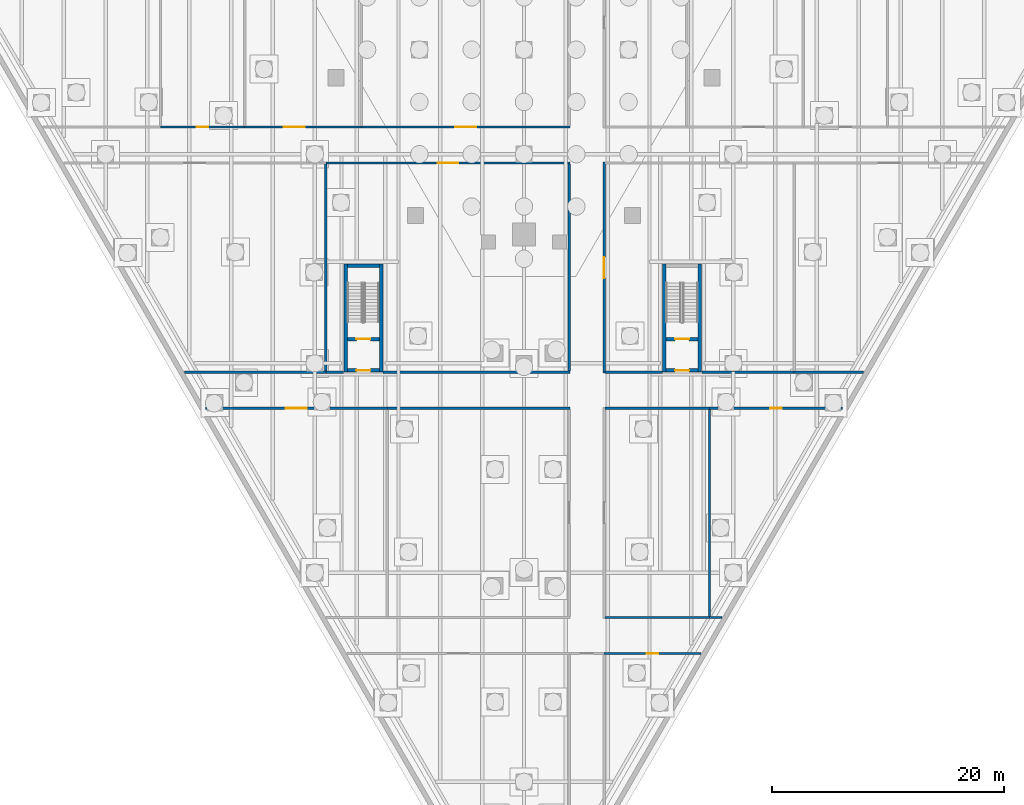
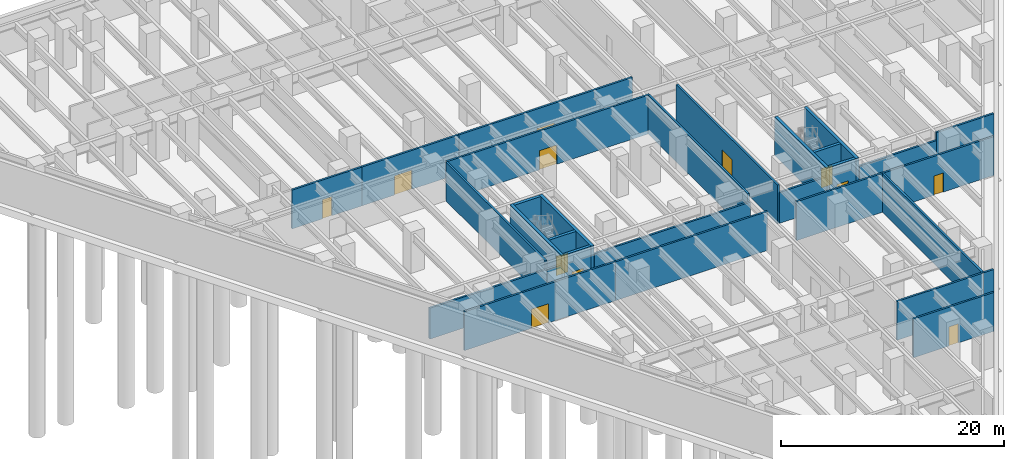
# One storey, part 9 of 18: 30 walls, 12 doors, 12 openings.
"""IFC4 building model written with IfcOpenShell, lengths in metres."""

from ifc_helpers import new_model, si_unit, direction, frame, frame_2d, origin, place, context, subcontext, project, spatial, rectangle, extrude, material, layer, layer_set, type_object, element, fill, save


model = new_model("IFC4")

# Units and contexts
model_context = context("Model", 3, precision=1e-05, world=origin(), true_north=direction((0.0, 1.0)))
body_context = subcontext(model_context, "Body", "Model", "MODEL_VIEW")
ifc_project = project(units=[si_unit("LENGTHUNIT", "METRE"), si_unit("AREAUNIT", "SQUARE_METRE"), si_unit("VOLUMEUNIT", "CUBIC_METRE"), si_unit("PLANEANGLEUNIT", "RADIAN"), si_unit("MASSUNIT", "GRAM", prefix="KILO")], contexts=[model_context])

# Site, building, storey
site_placement = place(None, origin())
site = spatial("IfcSite", under=ifc_project, at=site_placement, CompositionType="ELEMENT")
building_placement = place(site_placement, origin())
building = spatial("IfcBuilding", under=site, at=building_placement, Name="Aloe Facet Convention Tower", CompositionType="ELEMENT")
storey_placement = place(building_placement, frame((0.0, 0.0, -9.0)))
storey = spatial("IfcBuildingStorey", under=building, at=storey_placement, Name="B2", CompositionType="ELEMENT", Elevation=-9.0)

# Walls
ifc_material_1 = material(Name="Concrete C50/60", Category="concrete")
ifc_layer_1 = layer(ifc_material_1, 0.300048828125)
ifc_layer_set_1 = layer_set([ifc_layer_1], Name="CR-W-RC300-C5060")
wall_type_1 = type_object("IfcWallType", Name="CR-W-RC300-C5060", PredefinedType="SOLIDWALL", material=ifc_layer_set_1)
for number, where, z_axis, x_axis, name in (
    (1, (92.074951171875, 80.25, 0.0), (0.0, 0.0, 1.0), (0.0, 1.0, 0.0), "Exit stair wall B2-01"),
    (2, (95.125, 80.25, 0.0), (0.0, 0.0, 1.0), (0.0, 1.0, 0.0), "Exit stair wall B2-02"),
):
    element("IfcWall", number, at=place(storey_placement, frame(where, z_axis=z_axis, x_axis=x_axis)), inside=storey, type_object=wall_type_1, Name=name, PredefinedType="SOLIDWALL", context=body_context, shape_type="SweptSolid", body=[
        extrude(rectangle(XDim=9.300048828125, YDim=0.300048828125, at=frame_2d((4.64990234375, 0.0))), origin(), (0.0, 0.0, 1.0), 4.25),
    ])

# Wall, opening, door
wall_1_placement = place(storey_placement, frame((92.22509765625, 80.39990234375, 0.0), z_axis=(0.0, 0.0, 1.0), x_axis=(1.0, 0.0, 0.0)))
wall_1 = element("IfcWall", 3, at=wall_1_placement, inside=storey, type_object=wall_type_1, Name="Exit stair wall B2-03", PredefinedType="SOLIDWALL", context=body_context, shape_type="SweptSolid", body=[
    extrude(rectangle(XDim=2.75, YDim=0.300048828125, at=frame_2d((1.375, 0.0))), origin(), (0.0, 0.0, 1.0), 4.25),
])
opening_1_placement = place(wall_1_placement, frame((0.77490234375, 0.0, 0.0)))
opening_1 = element("IfcOpeningElement", 4, at=opening_1_placement, cuts=wall_1, Name="Opening B2-ST6-02", PredefinedType="OPENING", context=body_context, shape_type="SweptSolid", body=[
    extrude(rectangle(XDim=1.199951171875, YDim=2.10009765625, at=frame_2d((0.60009765625, 1.050048828125))), frame((0.0, 0.16015625, 0.0), z_axis=(0.0, -1.0, 0.0), x_axis=(1.0, 0.0, 0.0)), (0.0, 0.0, 1.0), 0.320068359375),
])
ifc_material_2 = material(Name="Steel fire-resisting door set FD60", Category="steel")
door_type_1 = type_object("IfcDoorType", Name="CR-D-EXIT-1200-FD60-SRIGHT", OperationType="SINGLE_SWING_RIGHT", PredefinedType="DOOR", material=ifc_material_2)
door_1_placement = place(opening_1_placement, origin())
door_1 = element("IfcDoor", 5, at=door_1_placement, inside=storey, type_object=door_type_1, Name="Stair lobby door B2-ST6-02", OperationType="SINGLE_SWING_RIGHT", OverallHeight=2.10009765625, OverallWidth=1.199951171875, PredefinedType="DOOR", context=body_context, shape_type="SweptSolid", body=[
    extrude(rectangle(XDim=1.199951171875, YDim=2.10009765625, at=frame_2d((0.60009765625, 1.050048828125))), frame((0.0, 0.02490234375, 0.0), z_axis=(0.0, -1.0, 0.0), x_axis=(1.0, 0.0, 0.0)), (0.0, 0.0, 1.0), 0.050048828125),
])
fill(opening_1, door_1)

wall_2_placement = place(storey_placement, frame((92.22509765625, 83.10009765625, 0.0), z_axis=(0.0, 0.0, 1.0), x_axis=(1.0, 0.0, 0.0)))
wall_2 = element("IfcWall", 6, at=wall_2_placement, inside=storey, type_object=wall_type_1, Name="Exit stair wall B2-04", PredefinedType="SOLIDWALL", context=body_context, shape_type="SweptSolid", body=[
    extrude(rectangle(XDim=2.75, YDim=0.300048828125, at=frame_2d((1.375, 0.0))), origin(), (0.0, 0.0, 1.0), 4.25),
])
opening_2_placement = place(wall_2_placement, frame((0.77490234375, 0.0, 0.0)))
opening_2 = element("IfcOpeningElement", 7, at=opening_2_placement, cuts=wall_2, Name="Opening B2-ST6-01", PredefinedType="OPENING", context=body_context, shape_type="SweptSolid", body=[
    extrude(rectangle(XDim=1.199951171875, YDim=2.10009765625, at=frame_2d((0.60009765625, 1.050048828125))), frame((0.0, 0.16015625, 0.0), z_axis=(0.0, -1.0, 0.0), x_axis=(1.0, 0.0, 0.0)), (0.0, 0.0, 1.0), 0.320068359375),
])
ifc_material_3 = material(Name="Steel fire-resisting door set FD120", Category="steel")
door_type_2 = type_object("IfcDoorType", Name="CR-D-STAIR-1200-FD120-SLEFT", OperationType="SINGLE_SWING_LEFT", PredefinedType="DOOR", material=ifc_material_3)
door_2_placement = place(opening_2_placement, origin())
door_2 = element("IfcDoor", 8, at=door_2_placement, inside=storey, type_object=door_type_2, Name="Stair door B2-ST6-01", OperationType="SINGLE_SWING_LEFT", OverallHeight=2.10009765625, OverallWidth=1.199951171875, PredefinedType="DOOR", context=body_context, shape_type="SweptSolid", body=[
    extrude(rectangle(XDim=1.199951171875, YDim=2.10009765625, at=frame_2d((0.60009765625, 1.050048828125))), frame((0.0, 0.02490234375, 0.0), z_axis=(0.0, -1.0, 0.0), x_axis=(1.0, 0.0, 0.0)), (0.0, 0.0, 1.0), 0.050048828125),
])
fill(opening_2, door_2)

# Walls
for number, where, z_axis, x_axis, name in (
    (9, (64.64990234375, 80.25, 0.0), (0.0, 0.0, 1.0), (0.0, 1.0, 0.0), "Exit stair wall B2-06"),
    (10, (67.699951171875, 80.25, 0.0), (0.0, 0.0, 1.0), (0.0, 1.0, 0.0), "Exit stair wall B2-07"),
):
    element("IfcWall", number, at=place(storey_placement, frame(where, z_axis=z_axis, x_axis=x_axis)), inside=storey, type_object=wall_type_1, Name=name, PredefinedType="SOLIDWALL", context=body_context, shape_type="SweptSolid", body=[
        extrude(rectangle(XDim=9.300048828125, YDim=0.300048828125, at=frame_2d((4.64990234375, 0.0))), origin(), (0.0, 0.0, 1.0), 4.25),
    ])

# Wall, opening, door
wall_3_placement = place(storey_placement, frame((64.800048828125, 80.39990234375, 0.0), z_axis=(0.0, 0.0, 1.0), x_axis=(1.0, 0.0, 0.0)))
wall_3 = element("IfcWall", 11, at=wall_3_placement, inside=storey, type_object=wall_type_1, Name="Exit stair wall B2-08", PredefinedType="SOLIDWALL", context=body_context, shape_type="SweptSolid", body=[
    extrude(rectangle(XDim=2.75, YDim=0.300048828125, at=frame_2d((1.375, 0.0))), origin(), (0.0, 0.0, 1.0), 4.25),
])
opening_3_placement = place(wall_3_placement, frame((0.77490234375, 0.0, 0.0)))
opening_3 = element("IfcOpeningElement", 12, at=opening_3_placement, cuts=wall_3, Name="Opening B2-ST7-02", PredefinedType="OPENING", context=body_context, shape_type="SweptSolid", body=[
    extrude(rectangle(XDim=1.199951171875, YDim=2.10009765625, at=frame_2d((0.60009765625, 1.050048828125))), frame((0.0, 0.16015625, 0.0), z_axis=(0.0, -1.0, 0.0), x_axis=(1.0, 0.0, 0.0)), (0.0, 0.0, 1.0), 0.320068359375),
])
door_3_placement = place(opening_3_placement, origin())
door_3 = element("IfcDoor", 13, at=door_3_placement, inside=storey, type_object=door_type_1, Name="Stair lobby door B2-ST7-02", OperationType="SINGLE_SWING_RIGHT", OverallHeight=2.10009765625, OverallWidth=1.199951171875, PredefinedType="DOOR", context=body_context, shape_type="SweptSolid", body=[
    extrude(rectangle(XDim=1.199951171875, YDim=2.10009765625, at=frame_2d((0.60009765625, 1.050048828125))), frame((0.0, 0.02490234375, 0.0), z_axis=(0.0, -1.0, 0.0), x_axis=(1.0, 0.0, 0.0)), (0.0, 0.0, 1.0), 0.050048828125),
])
fill(opening_3, door_3)

wall_4_placement = place(storey_placement, frame((64.800048828125, 83.10009765625, 0.0), z_axis=(0.0, 0.0, 1.0), x_axis=(1.0, 0.0, 0.0)))
wall_4 = element("IfcWall", 14, at=wall_4_placement, inside=storey, type_object=wall_type_1, Name="Exit stair wall B2-09", PredefinedType="SOLIDWALL", context=body_context, shape_type="SweptSolid", body=[
    extrude(rectangle(XDim=2.75, YDim=0.300048828125, at=frame_2d((1.375, 0.0))), origin(), (0.0, 0.0, 1.0), 4.25),
])
opening_4_placement = place(wall_4_placement, frame((0.77490234375, 0.0, 0.0)))
opening_4 = element("IfcOpeningElement", 15, at=opening_4_placement, cuts=wall_4, Name="Opening B2-ST7-01", PredefinedType="OPENING", context=body_context, shape_type="SweptSolid", body=[
    extrude(rectangle(XDim=1.199951171875, YDim=2.10009765625, at=frame_2d((0.60009765625, 1.050048828125))), frame((0.0, 0.16015625, 0.0), z_axis=(0.0, -1.0, 0.0), x_axis=(1.0, 0.0, 0.0)), (0.0, 0.0, 1.0), 0.320068359375),
])
door_4_placement = place(opening_4_placement, origin())
door_4 = element("IfcDoor", 16, at=door_4_placement, inside=storey, type_object=door_type_2, Name="Stair door B2-ST7-01", OperationType="SINGLE_SWING_LEFT", OverallHeight=2.10009765625, OverallWidth=1.199951171875, PredefinedType="DOOR", context=body_context, shape_type="SweptSolid", body=[
    extrude(rectangle(XDim=1.199951171875, YDim=2.10009765625, at=frame_2d((0.60009765625, 1.050048828125))), frame((0.0, 0.02490234375, 0.0), z_axis=(0.0, -1.0, 0.0), x_axis=(1.0, 0.0, 0.0)), (0.0, 0.0, 1.0), 0.050048828125),
])
fill(opening_4, door_4)

# Wall
wall_5_placement = place(storey_placement, frame((64.800048828125, 89.39990234375, 0.0), z_axis=(0.0, 0.0, 1.0), x_axis=(1.0, 0.0, 0.0)))
element("IfcWall", 17, at=wall_5_placement, inside=storey, type_object=wall_type_1, Name="Exit stair wall B2-10", PredefinedType="SOLIDWALL", context=body_context, shape_type="SweptSolid", body=[
    extrude(rectangle(XDim=2.75, YDim=0.300048828125, at=frame_2d((1.375, 0.0))), origin(), (0.0, 0.0, 1.0), 4.25),
])

# Wall, opening, door
ifc_material_4 = material(Name="Masonry blockwork wall, plastered", Category="masonry")
ifc_layer_2 = layer(ifc_material_4, 0.199951171875)
ifc_layer_set_2 = layer_set([ifc_layer_2], Name="IN-POD-W-PLANT")
wall_type_2 = type_object("IfcWallType", Name="IN-POD-W-PLANT", PredefinedType="PARTITIONING", material=ifc_layer_set_2)
wall_6_placement = place(storey_placement, frame((86.89990234375, 56.050048828125, 0.0), z_axis=(0.0, 0.0, 1.0), x_axis=(1.0, 0.0, 0.0)))
wall_6 = element("IfcWall", 18, at=wall_6_placement, inside=storey, type_object=wall_type_2, Name="Partition B2-W005", PredefinedType="PARTITIONING", context=body_context, shape_type="SweptSolid", body=[
    extrude(rectangle(XDim=8.330322265625, YDim=0.199951171875, at=frame_2d((4.1650390625, 0.0))), origin(), (0.0, 0.0, 1.0), 4.25),
])
opening_5_placement = place(wall_6_placement, frame((3.6650390625, 0.0, 0.0)))
opening_5 = element("IfcOpeningElement", 19, at=opening_5_placement, cuts=wall_6, Name="Opening B2-020", PredefinedType="OPENING", context=body_context, shape_type="SweptSolid", body=[
    extrude(rectangle(XDim=1.0, YDim=2.10009765625, at=frame_2d((0.5, 1.050048828125))), frame((0.0, 0.10986328125, 0.0), z_axis=(0.0, -1.0, 0.0), x_axis=(1.0, 0.0, 0.0)), (0.0, 0.0, 1.0), 0.219970703125),
])
ifc_material_5 = material(Name="Steel flush door, galvanised", Category="steel")
door_type_3 = type_object("IfcDoorType", Name="IN-POD-D-PLANT", OperationType="SINGLE_SWING_LEFT", PredefinedType="DOOR", material=ifc_material_5)
door_5_placement = place(opening_5_placement, origin())
door_5 = element("IfcDoor", 20, at=door_5_placement, inside=storey, type_object=door_type_3, Name="Door B2-020", OperationType="SINGLE_SWING_LEFT", OverallHeight=2.10009765625, OverallWidth=1.0, PredefinedType="DOOR", context=body_context, shape_type="SweptSolid", body=[
    extrude(rectangle(XDim=1.0, YDim=2.10009765625, at=frame_2d((0.5, 1.050048828125))), frame((0.0, 0.02490234375, 0.0), z_axis=(0.0, -1.0, 0.0), x_axis=(1.0, 0.0, 0.0)), (0.0, 0.0, 1.0), 0.050048828125),
])
fill(opening_5, door_5)

# Walls
wall_7_placement = place(storey_placement, frame((86.985107421875, 59.14990234375, 0.0), z_axis=(0.0, 0.0, 1.0), x_axis=(1.0, 0.0, 0.0)))
element("IfcWall", 21, at=wall_7_placement, inside=storey, type_object=wall_type_2, Name="Partition B2-W010", PredefinedType="PARTITIONING", context=body_context, shape_type="SweptSolid", body=[
    extrude(rectangle(XDim=8.970947265625, YDim=0.199951171875, at=frame_2d((4.4853515625, 0.0))), origin(), (0.0, 0.0, 1.0), 4.25),
])
wall_8_placement = place(storey_placement, frame((95.9560546875, 59.235107421875, 0.0), z_axis=(0.0, 0.0, 1.0), x_axis=(0.0, 1.0, 0.0)))
element("IfcWall", 22, at=wall_8_placement, inside=storey, type_object=wall_type_2, Name="Partition B2-W011", PredefinedType="PARTITIONING", context=body_context, shape_type="SweptSolid", body=[
    extrude(rectangle(XDim=17.829833984375, YDim=0.199951171875, at=frame_2d((8.9150390625, 0.0))), origin(), (0.0, 0.0, 1.0), 4.25),
])
wall_9_placement = place(storey_placement, frame((95.9560546875, 59.14990234375, 0.0), z_axis=(0.0, 0.0, 1.0), x_axis=(1.0, 0.0, 0.0)))
element("IfcWall", 23, at=wall_9_placement, inside=storey, type_object=wall_type_2, Name="Partition B2-W012", PredefinedType="PARTITIONING", context=body_context, shape_type="SweptSolid", body=[
    extrude(rectangle(XDim=1.06396484375, YDim=0.199951171875, at=frame_2d((0.531982421875, 0.0))), origin(), (0.0, 0.0, 1.0), 4.25),
])

# Wall, opening, door
wall_10_placement = place(storey_placement, frame((52.587646484375, 77.14990234375, 0.0), z_axis=(0.0, 0.0, 1.0), x_axis=(1.0, 0.0, 0.0)))
wall_10 = element("IfcWall", 24, at=wall_10_placement, inside=storey, type_object=wall_type_2, Name="Partition B2-W013", PredefinedType="PARTITIONING", context=body_context, shape_type="SweptSolid", body=[
    extrude(rectangle(XDim=15.65625, YDim=0.199951171875, at=frame_2d((7.828125, 0.0))), origin(), (0.0, 0.0, 1.0), 4.25),
])
opening_6_placement = place(wall_10_placement, frame((6.927978515625, 0.0, 0.0)))
opening_6 = element("IfcOpeningElement", 25, at=opening_6_placement, cuts=wall_10, Name="Opening B2-015", PredefinedType="OPENING", context=body_context, shape_type="SweptSolid", body=[
    extrude(rectangle(XDim=1.800048828125, YDim=2.10009765625, at=frame_2d((0.89990234375, 1.050048828125))), frame((0.0, 0.10986328125, 0.0), z_axis=(0.0, -1.0, 0.0), x_axis=(1.0, 0.0, 0.0)), (0.0, 0.0, 1.0), 0.219970703125),
])
ifc_material_6 = material(Name="Steel flush door pair, galvanised", Category="steel")
door_type_4 = type_object("IfcDoorType", Name="IN-POD-D-PLANTPAIR", OperationType="DOUBLE_DOOR_SINGLE_SWING", PredefinedType="DOOR", material=ifc_material_6)
door_6_placement = place(opening_6_placement, origin())
door_6 = element("IfcDoor", 26, at=door_6_placement, inside=storey, type_object=door_type_4, Name="Door B2-015", OperationType="SINGLE_SWING_LEFT", OverallHeight=2.10009765625, OverallWidth=1.800048828125, PredefinedType="DOOR", context=body_context, shape_type="SweptSolid", body=[
    extrude(rectangle(XDim=1.800048828125, YDim=2.10009765625, at=frame_2d((0.89990234375, 1.050048828125))), frame((0.0, 0.02490234375, 0.0), z_axis=(0.0, -1.0, 0.0), x_axis=(1.0, 0.0, 0.0)), (0.0, 0.0, 1.0), 0.050048828125),
])
fill(opening_6, door_6)

# Walls
wall_11_placement = place(storey_placement, frame((68.243896484375, 77.14990234375, 0.0), z_axis=(0.0, 0.0, 1.0), x_axis=(1.0, 0.0, 0.0)))
element("IfcWall", 27, at=wall_11_placement, inside=storey, type_object=wall_type_2, Name="Partition B2-W014", PredefinedType="PARTITIONING", context=body_context, shape_type="SweptSolid", body=[
    extrude(rectangle(XDim=15.731201171875, YDim=0.199951171875, at=frame_2d((7.86572265625, 0.0))), origin(), (0.0, 0.0, 1.0), 4.25),
])
wall_12_placement = place(storey_placement, frame((86.985107421875, 77.14990234375, 0.0), z_axis=(0.0, 0.0, 1.0), x_axis=(1.0, 0.0, 0.0)))
element("IfcWall", 28, at=wall_12_placement, inside=storey, type_object=wall_type_2, Name="Partition B2-W016", PredefinedType="PARTITIONING", context=body_context, shape_type="SweptSolid", body=[
    extrude(rectangle(XDim=8.970947265625, YDim=0.199951171875, at=frame_2d((4.4853515625, 0.0))), origin(), (0.0, 0.0, 1.0), 4.25),
])

# Wall, opening, door
wall_13_placement = place(storey_placement, frame((95.9560546875, 77.14990234375, 0.0), z_axis=(0.0, 0.0, 1.0), x_axis=(1.0, 0.0, 0.0)))
wall_13 = element("IfcWall", 29, at=wall_13_placement, inside=storey, type_object=wall_type_2, Name="Partition B2-W017", PredefinedType="PARTITIONING", context=body_context, shape_type="SweptSolid", body=[
    extrude(rectangle(XDim=11.456298828125, YDim=0.199951171875, at=frame_2d((5.72802734375, 0.0))), origin(), (0.0, 0.0, 1.0), 4.25),
])
opening_7_placement = place(wall_13_placement, frame((5.22802734375, 0.0, 0.0)))
opening_7 = element("IfcOpeningElement", 30, at=opening_7_placement, cuts=wall_13, Name="Opening B2-018", PredefinedType="OPENING", context=body_context, shape_type="SweptSolid", body=[
    extrude(rectangle(XDim=1.0, YDim=2.10009765625, at=frame_2d((0.5, 1.050048828125))), frame((0.0, 0.10986328125, 0.0), z_axis=(0.0, -1.0, 0.0), x_axis=(1.0, 0.0, 0.0)), (0.0, 0.0, 1.0), 0.219970703125),
])
door_7_placement = place(opening_7_placement, origin())
door_7 = element("IfcDoor", 31, at=door_7_placement, inside=storey, type_object=door_type_3, Name="Door B2-018", OperationType="SINGLE_SWING_LEFT", OverallHeight=2.10009765625, OverallWidth=1.0, PredefinedType="DOOR", context=body_context, shape_type="SweptSolid", body=[
    extrude(rectangle(XDim=1.0, YDim=2.10009765625, at=frame_2d((0.5, 1.050048828125))), frame((0.0, 0.02490234375, 0.0), z_axis=(0.0, -1.0, 0.0), x_axis=(1.0, 0.0, 0.0)), (0.0, 0.0, 1.0), 0.050048828125),
])
fill(opening_7, door_7)

# Walls
wall_14_placement = place(storey_placement, frame((50.7978515625, 80.25, 0.0), z_axis=(0.0, 0.0, 1.0), x_axis=(1.0, 0.0, 0.0)))
element("IfcWall", 32, at=wall_14_placement, inside=storey, type_object=wall_type_2, Name="Partition B2-W018", PredefinedType="PARTITIONING", context=body_context, shape_type="SweptSolid", body=[
    extrude(rectangle(XDim=12.155029296875, YDim=0.199951171875, at=frame_2d((6.07763671875, 0.0))), origin(), (0.0, 0.0, 1.0), 3.38916015625),
])
wall_15_placement = place(storey_placement, frame((62.952880859375, 80.3349609375, 0.0), z_axis=(0.0, 0.0, 1.0), x_axis=(0.0, 1.0, 0.0)))
element("IfcWall", 33, at=wall_15_placement, inside=storey, type_object=wall_type_2, Name="Partition B2-W019", PredefinedType="PARTITIONING", context=body_context, shape_type="SweptSolid", body=[
    extrude(rectangle(XDim=17.830078125, YDim=0.199951171875, at=frame_2d((8.9150390625, 0.0))), origin(), (0.0, 0.0, 1.0), 4.25),
])
wall_16_placement = place(storey_placement, frame((62.952880859375, 80.25, 0.0), z_axis=(0.0, 0.0, 1.0), x_axis=(1.0, 0.0, 0.0)))
element("IfcWall", 34, at=wall_16_placement, inside=storey, type_object=wall_type_2, Name="Partition B2-W020", PredefinedType="PARTITIONING", context=body_context, shape_type="SweptSolid", body=[
    extrude(rectangle(XDim=1.527099609375, YDim=0.199951171875, at=frame_2d((0.763671875, 0.0))), origin(), (0.0, 0.0, 1.0), 3.38916015625),
])
wall_17_placement = place(storey_placement, frame((67.8701171875, 80.25, 0.0), z_axis=(0.0, 0.0, 1.0), x_axis=(1.0, 0.0, 0.0)))
element("IfcWall", 35, at=wall_17_placement, inside=storey, type_object=wall_type_2, Name="Partition B2-W021", PredefinedType="PARTITIONING", context=body_context, shape_type="SweptSolid", body=[
    extrude(rectangle(XDim=16.10498046875, YDim=0.199951171875, at=frame_2d((8.052490234375, 0.0))), origin(), (0.0, 0.0, 1.0), 3.38916015625),
])

# Wall, opening, door
wall_18_placement = place(storey_placement, frame((86.89990234375, 80.175048828125, 0.0), z_axis=(0.0, 0.0, 1.0), x_axis=(0.0, 1.0, 0.0)))
wall_18 = element("IfcWall", 36, at=wall_18_placement, inside=storey, type_object=wall_type_2, Name="Partition B2-W022", PredefinedType="PARTITIONING", context=body_context, shape_type="SweptSolid", body=[
    extrude(rectangle(XDim=18.14990234375, YDim=0.199951171875, at=frame_2d((9.074951171875, 0.0))), origin(), (0.0, 0.0, 1.0), 4.25),
])
opening_8_placement = place(wall_18_placement, frame((8.175048828125, 0.0, 0.0)))
opening_8 = element("IfcOpeningElement", 37, at=opening_8_placement, cuts=wall_18, Name="Opening B2-013", PredefinedType="OPENING", context=body_context, shape_type="SweptSolid", body=[
    extrude(rectangle(XDim=1.800048828125, YDim=2.10009765625, at=frame_2d((0.89990234375, 1.050048828125))), frame((0.0, 0.10986328125, 0.0), z_axis=(0.0, -1.0, 0.0), x_axis=(1.0, 0.0, 0.0)), (0.0, 0.0, 1.0), 0.219970703125),
])
door_8_placement = place(opening_8_placement, origin())
door_8 = element("IfcDoor", 38, at=door_8_placement, inside=storey, type_object=door_type_4, Name="Door B2-013", OperationType="SINGLE_SWING_LEFT", OverallHeight=2.10009765625, OverallWidth=1.800048828125, PredefinedType="DOOR", context=body_context, shape_type="SweptSolid", body=[
    extrude(rectangle(XDim=1.800048828125, YDim=2.10009765625, at=frame_2d((0.89990234375, 1.050048828125))), frame((0.0, 0.02490234375, 0.0), z_axis=(0.0, -1.0, 0.0), x_axis=(1.0, 0.0, 0.0)), (0.0, 0.0, 1.0), 0.050048828125),
])
fill(opening_8, door_8)

# Walls
wall_19_placement = place(storey_placement, frame((86.985107421875, 80.25, 0.0), z_axis=(0.0, 0.0, 1.0), x_axis=(1.0, 0.0, 0.0)))
element("IfcWall", 39, at=wall_19_placement, inside=storey, type_object=wall_type_2, Name="Partition B2-W023", PredefinedType="PARTITIONING", context=body_context, shape_type="SweptSolid", body=[
    extrude(rectangle(XDim=4.919921875, YDim=0.199951171875, at=frame_2d((2.4599609375, 0.0))), origin(), (0.0, 0.0, 1.0), 3.38916015625),
])
wall_20_placement = place(storey_placement, frame((95.294921875, 80.25, 0.0), z_axis=(0.0, 0.0, 1.0), x_axis=(1.0, 0.0, 0.0)))
element("IfcWall", 40, at=wall_20_placement, inside=storey, type_object=wall_type_2, Name="Partition B2-W024", PredefinedType="PARTITIONING", context=body_context, shape_type="SweptSolid", body=[
    extrude(rectangle(XDim=7.9521484375, YDim=0.199951171875, at=frame_2d((3.97607421875, 0.0))), origin(), (0.0, 0.0, 1.0), 3.38916015625),
])
wall_21_placement = place(storey_placement, frame((103.2470703125, 80.25, 0.0), z_axis=(0.0, 0.0, 1.0), x_axis=(1.0, 0.0, 0.0)))
element("IfcWall", 41, at=wall_21_placement, inside=storey, type_object=wall_type_2, Name="Partition B2-W026", PredefinedType="PARTITIONING", context=body_context, shape_type="SweptSolid", body=[
    extrude(rectangle(XDim=5.955078125, YDim=0.199951171875, at=frame_2d((2.9775390625, 0.0))), origin(), (0.0, 0.0, 1.0), 4.25),
])

# Wall, opening, door
wall_22_placement = place(storey_placement, frame((62.952880859375, 98.25, 0.0), z_axis=(0.0, 0.0, 1.0), x_axis=(1.0, 0.0, 0.0)))
wall_22 = element("IfcWall", 42, at=wall_22_placement, inside=storey, type_object=wall_type_2, Name="Partition B2-W028", PredefinedType="PARTITIONING", context=body_context, shape_type="SweptSolid", body=[
    extrude(rectangle(XDim=21.022216796875, YDim=0.199951171875, at=frame_2d((10.51123046875, 0.0))), origin(), (0.0, 0.0, 1.0), 4.25),
])
opening_9_placement = place(wall_22_placement, frame((9.611083984375, 0.0, 0.0)))
opening_9 = element("IfcOpeningElement", 43, at=opening_9_placement, cuts=wall_22, Name="Opening B2-012", PredefinedType="OPENING", context=body_context, shape_type="SweptSolid", body=[
    extrude(rectangle(XDim=1.800048828125, YDim=2.10009765625, at=frame_2d((0.89990234375, 1.050048828125))), frame((0.0, 0.10986328125, 0.0), z_axis=(0.0, -1.0, 0.0), x_axis=(1.0, 0.0, 0.0)), (0.0, 0.0, 1.0), 0.219970703125),
])
door_9_placement = place(opening_9_placement, origin())
door_9 = element("IfcDoor", 44, at=door_9_placement, inside=storey, type_object=door_type_4, Name="Door B2-012", OperationType="SINGLE_SWING_LEFT", OverallHeight=2.10009765625, OverallWidth=1.800048828125, PredefinedType="DOOR", context=body_context, shape_type="SweptSolid", body=[
    extrude(rectangle(XDim=1.800048828125, YDim=2.10009765625, at=frame_2d((0.89990234375, 1.050048828125))), frame((0.0, 0.02490234375, 0.0), z_axis=(0.0, -1.0, 0.0), x_axis=(1.0, 0.0, 0.0)), (0.0, 0.0, 1.0), 0.050048828125),
])
fill(opening_9, door_9)

# Wall
wall_23_placement = place(storey_placement, frame((83.89990234375, 80.3349609375, 0.0), z_axis=(0.0, 0.0, 1.0), x_axis=(0.0, 1.0, 0.0)))
element("IfcWall", 45, at=wall_23_placement, inside=storey, type_object=wall_type_2, Name="Partition B2-W029", PredefinedType="PARTITIONING", context=body_context, shape_type="SweptSolid", body=[
    extrude(rectangle(XDim=17.830078125, YDim=0.199951171875, at=frame_2d((8.9150390625, 0.0))), origin(), (0.0, 0.0, 1.0), 4.25),
])

# Wall, opening, door
wall_24_placement = place(storey_placement, frame((48.7333984375, 101.35009765625, 0.0), z_axis=(0.0, 0.0, 1.0), x_axis=(1.0, 0.0, 0.0)))
wall_24 = element("IfcWall", 46, at=wall_24_placement, inside=storey, type_object=wall_type_2, Name="Partition B2-W034", PredefinedType="PARTITIONING", context=body_context, shape_type="SweptSolid", body=[
    extrude(rectangle(XDim=7.2333984375, YDim=0.199951171875, at=frame_2d((3.61669921875, 0.0))), origin(), (0.0, 0.0, 1.0), 4.25),
])
opening_10_placement = place(wall_24_placement, frame((3.11669921875, 0.0, 0.0)))
opening_10 = element("IfcOpeningElement", 47, at=opening_10_placement, cuts=wall_24, Name="Opening B2-004", PredefinedType="OPENING", context=body_context, shape_type="SweptSolid", body=[
    extrude(rectangle(XDim=1.0, YDim=2.10009765625, at=frame_2d((0.5, 1.050048828125))), frame((0.0, 0.10986328125, 0.0), z_axis=(0.0, -1.0, 0.0), x_axis=(1.0, 0.0, 0.0)), (0.0, 0.0, 1.0), 0.219970703125),
])
door_10_placement = place(opening_10_placement, origin())
door_10 = element("IfcDoor", 48, at=door_10_placement, inside=storey, type_object=door_type_3, Name="Door B2-004", OperationType="SINGLE_SWING_LEFT", OverallHeight=2.10009765625, OverallWidth=1.0, PredefinedType="DOOR", context=body_context, shape_type="SweptSolid", body=[
    extrude(rectangle(XDim=1.0, YDim=2.10009765625, at=frame_2d((0.5, 1.050048828125))), frame((0.0, 0.02490234375, 0.0), z_axis=(0.0, -1.0, 0.0), x_axis=(1.0, 0.0, 0.0)), (0.0, 0.0, 1.0), 0.050048828125),
])
fill(opening_10, door_10)

wall_25_placement = place(storey_placement, frame((55.966796875, 101.35009765625, 0.0), z_axis=(0.0, 0.0, 1.0), x_axis=(1.0, 0.0, 0.0)))
wall_25 = element("IfcWall", 49, at=wall_25_placement, inside=storey, type_object=wall_type_2, Name="Partition B2-W036", PredefinedType="PARTITIONING", context=body_context, shape_type="SweptSolid", body=[
    extrude(rectangle(XDim=10.033203125, YDim=0.199951171875, at=frame_2d((5.0166015625, 0.0))), origin(), (0.0, 0.0, 1.0), 4.25),
])
opening_11_placement = place(wall_25_placement, frame((3.353271484375, 0.0, 0.0)))
opening_11 = element("IfcOpeningElement", 50, at=opening_11_placement, cuts=wall_25, Name="Opening B2-005", PredefinedType="OPENING", context=body_context, shape_type="SweptSolid", body=[
    extrude(rectangle(XDim=1.800048828125, YDim=2.10009765625, at=frame_2d((0.89990234375, 1.050048828125))), frame((0.0, 0.10986328125, 0.0), z_axis=(0.0, -1.0, 0.0), x_axis=(1.0, 0.0, 0.0)), (0.0, 0.0, 1.0), 0.219970703125),
])
door_11_placement = place(opening_11_placement, origin())
door_11 = element("IfcDoor", 51, at=door_11_placement, inside=storey, type_object=door_type_4, Name="Door B2-005", OperationType="SINGLE_SWING_LEFT", OverallHeight=2.10009765625, OverallWidth=1.800048828125, PredefinedType="DOOR", context=body_context, shape_type="SweptSolid", body=[
    extrude(rectangle(XDim=1.800048828125, YDim=2.10009765625, at=frame_2d((0.89990234375, 1.050048828125))), frame((0.0, 0.02490234375, 0.0), z_axis=(0.0, -1.0, 0.0), x_axis=(1.0, 0.0, 0.0)), (0.0, 0.0, 1.0), 0.050048828125),
])
fill(opening_11, door_11)

wall_26_placement = place(storey_placement, frame((66.0, 101.35009765625, 0.0), z_axis=(0.0, 0.0, 1.0), x_axis=(1.0, 0.0, 0.0)))
wall_26 = element("IfcWall", 52, at=wall_26_placement, inside=storey, type_object=wall_type_2, Name="Partition B2-W038", PredefinedType="PARTITIONING", context=body_context, shape_type="SweptSolid", body=[
    extrude(rectangle(XDim=17.97509765625, YDim=0.199951171875, at=frame_2d((8.987548828125, 0.0))), origin(), (0.0, 0.0, 1.0), 4.25),
])
opening_12_placement = place(wall_26_placement, frame((8.08740234375, 0.0, 0.0)))
opening_12 = element("IfcOpeningElement", 53, at=opening_12_placement, cuts=wall_26, Name="Opening B2-006", PredefinedType="OPENING", context=body_context, shape_type="SweptSolid", body=[
    extrude(rectangle(XDim=1.800048828125, YDim=2.10009765625, at=frame_2d((0.89990234375, 1.050048828125))), frame((0.0, 0.10986328125, 0.0), z_axis=(0.0, -1.0, 0.0), x_axis=(1.0, 0.0, 0.0)), (0.0, 0.0, 1.0), 0.219970703125),
])
door_12_placement = place(opening_12_placement, origin())
door_12 = element("IfcDoor", 54, at=door_12_placement, inside=storey, type_object=door_type_4, Name="Door B2-006", OperationType="SINGLE_SWING_LEFT", OverallHeight=2.10009765625, OverallWidth=1.800048828125, PredefinedType="DOOR", context=body_context, shape_type="SweptSolid", body=[
    extrude(rectangle(XDim=1.800048828125, YDim=2.10009765625, at=frame_2d((0.89990234375, 1.050048828125))), frame((0.0, 0.02490234375, 0.0), z_axis=(0.0, -1.0, 0.0), x_axis=(1.0, 0.0, 0.0)), (0.0, 0.0, 1.0), 0.050048828125),
])
fill(opening_12, door_12)

save(model, "model.ifc")
